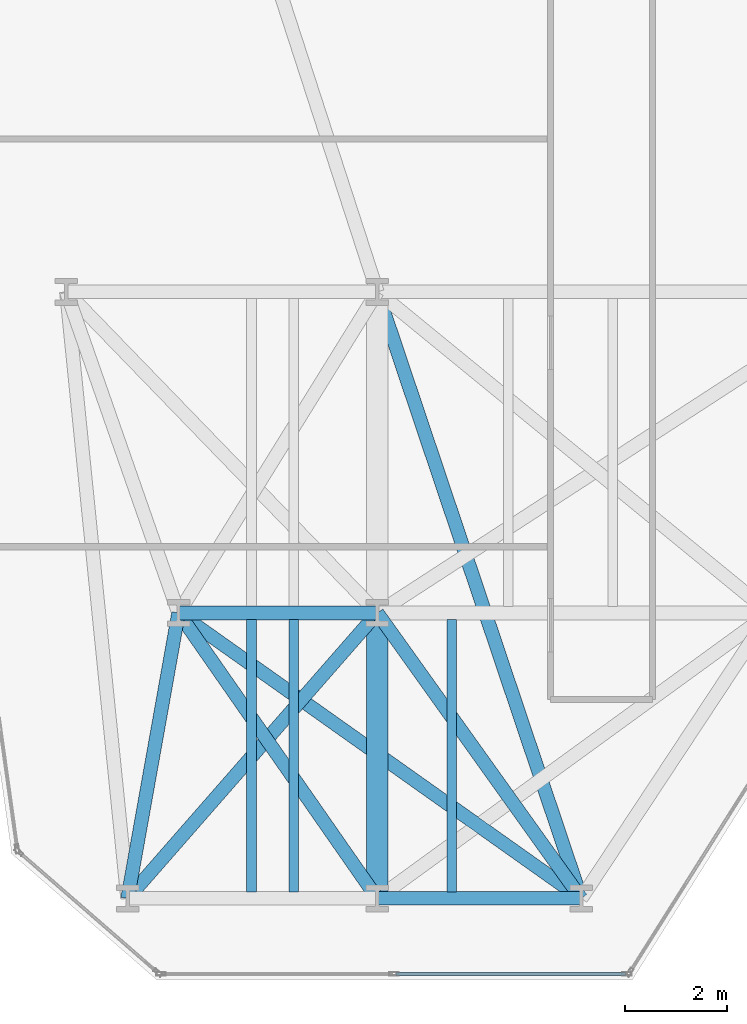
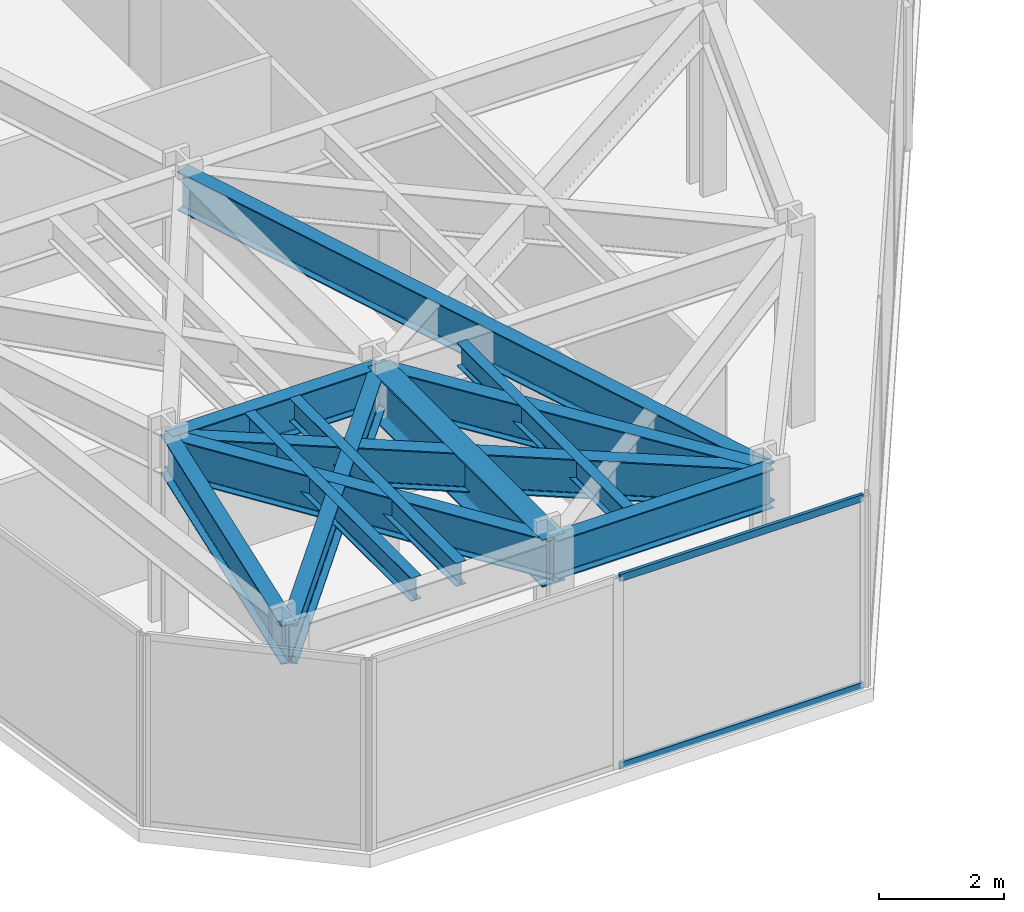
# One storey, part 3 of 24: 12 beams, 2 members, 1 element without a shape of its own.
"""IFC4 building model written with IfcOpenShell, lengths in metres."""

from ifc_helpers import new_model, si_unit, direction, frame, origin, origin_2d, place, context, subcontext, project, spatial, hollow_rectangle, i_section, extrude, material, layer, layer_set, material_profile, profile_set, type_object, element, aggregate, save


model = new_model("IFC4")

# Units and contexts
model_context = context("Model", 3, precision=1e-05, world=origin(), true_north=direction((0.0, 1.0)))
body_context = subcontext(model_context, "Body", "Model", "MODEL_VIEW")
ifc_project = project(units=[si_unit("LENGTHUNIT", "METRE"), si_unit("AREAUNIT", "SQUARE_METRE"), si_unit("VOLUMEUNIT", "CUBIC_METRE"), si_unit("PLANEANGLEUNIT", "RADIAN"), si_unit("MASSUNIT", "GRAM", prefix="KILO")], contexts=[model_context])

# Site, building, storey
site_placement = place(None, origin())
site = spatial("IfcSite", under=ifc_project, at=site_placement, CompositionType="ELEMENT")
building_placement = place(site_placement, origin())
building = spatial("IfcBuilding", under=site, at=building_placement, Name="Kravanh Interchange Tower", CompositionType="ELEMENT")
storey_placement = place(building_placement, frame((0.0, 0.0, 53.5)))
storey = spatial("IfcBuildingStorey", under=building, at=storey_placement, Name="L12", CompositionType="ELEMENT", Elevation=53.5)

# Curtain wall, members
ifc_material_1 = material(Name="Anodised Bronze Aluminium", Category="aluminium")
ifc_layer = layer(ifc_material_1, 0.179931640625)
ifc_layer_set = layer_set([ifc_layer], Name="Unitised Curtain Wall System CW-Z1 Lower Office")
curtain_wall_type = type_object("IfcCurtainWallType", Name="Unitised Curtain Wall System CW-Z1 Lower Office", PredefinedType="NOTDEFINED", material=ifc_layer_set)
curtain_wall_placement = place(storey_placement, origin())
curtain_wall = element("IfcCurtainWall", 1, at=curtain_wall_placement, inside=storey, type_object=curtain_wall_type, Name="L12 Unitised Curtain Wall CW-L12-06", PredefinedType="NOTDEFINED")
ifc_material_2 = material(Name="Anodised Bronze Aluminium", Category="aluminium")
ifc_material_profile_1 = material_profile(ifc_material_2, hollow_rectangle(XDim=0.06005859375, YDim=0.139892578125, WallThickness=0.00390625, at=origin_2d()), Name="ALU60X140X4")
ifc_profile_set_1 = profile_set([ifc_material_profile_1], Name="Anodised Bronze Aluminium")
member_type = type_object("IfcMemberType", Name="Curtain Wall Transom ALU60X140X4 Bronze", PredefinedType="USERDEFINED", material=ifc_profile_set_1)
member_1_placement = place(storey_placement, frame((22.36376953125, 1.1201171875, 0.030029296875), z_axis=(-1.0, 0.0, 0.0), x_axis=(0.0, -1.0, 0.0)))
member_1 = element("IfcMember", 2, at=member_1_placement, type_object=member_type, Name="CW-Z1 transom 1.1", ObjectType="TRANSOM", PredefinedType="USERDEFINED", context=body_context, shape_type="SweptSolid", body=[
    extrude(hollow_rectangle(XDim=0.06005859375, YDim=0.139892578125, WallThickness=0.00390625, at=origin_2d()), origin(), (0.0, 0.0, 1.0), 4.50146484375),
])
member_2_placement = place(storey_placement, frame((22.36376953125, 1.1201171875, 3.7099609375), z_axis=(-1.0, 0.0, 0.0), x_axis=(0.0, -1.0, 0.0)))
member_2 = element("IfcMember", 3, at=member_2_placement, type_object=member_type, Name="CW-Z1 transom 1.2", ObjectType="TRANSOM", PredefinedType="USERDEFINED", context=body_context, shape_type="SweptSolid", body=[
    extrude(hollow_rectangle(XDim=0.06005859375, YDim=0.139892578125, WallThickness=0.00390625, at=origin_2d()), origin(), (0.0, 0.0, 1.0), 4.50146484375),
])
aggregate(curtain_wall, [member_1, member_2])

# Beams
ifc_material_3 = material(Name="Structural Steel S355", Category="steel")
ifc_material_profile_2 = material_profile(ifc_material_3, i_section(OverallWidth=0.41796875, OverallDepth=0.927001953125, WebThickness=0.019287109375, FlangeThickness=0.031982421875, FilletRadius=0.028076171875, at=origin_2d()), Name="W36X231")
ifc_profile_set_2 = profile_set([ifc_material_profile_2], Name="Structural Steel S355")
beam_type_1 = type_object("IfcBeamType", Name="Floor Beam W36X231 Structural Steel S355", PredefinedType="BEAM", material=ifc_profile_set_2)
beam_1_placement = place(storey_placement, frame((17.5, 2.60009765625, 3.276611328125), z_axis=(0.0, 1.0, 0.0), x_axis=(-1.0, 0.0, 0.0)))
element("IfcBeam", 4, at=beam_1_placement, inside=storey, type_object=beam_type_1, Name="L12 Primary Floor Girder 103", PredefinedType="BEAM", context=body_context, shape_type="SweptSolid", body=[
    extrude(i_section(OverallWidth=0.41796875, OverallDepth=0.927001953125, WebThickness=0.019287109375, FlangeThickness=0.031982421875, FilletRadius=0.028076171875, at=origin_2d()), origin(), (0.0, 0.0, 1.0), 5.599853515625),
])
ifc_material_4 = material(Name="Structural Steel S355", Category="steel")
ifc_material_profile_3 = material_profile(ifc_material_4, i_section(OverallWidth=0.18994140625, OverallDepth=0.45703125, WebThickness=0.009033203125, FlangeThickness=0.014404296875, FilletRadius=0.01806640625, at=origin_2d()), Name="W18X50")
ifc_profile_set_3 = profile_set([ifc_material_profile_3], Name="Structural Steel S355")
beam_type_2 = type_object("IfcBeamType", Name="Floor Joist W18X50 Structural Steel S355", PredefinedType="JOIST", material=ifc_profile_set_3)
for number, where, z_axis, x_axis, name in (
    (5, (15.030029296875, 2.728515625, 3.511474609375), (0.0, 1.0, 0.0), (-1.0, 0.0, 0.0), "L12 Secondary Floor Joist 1"),
    (6, (15.862060546875, 2.728515625, 3.511474609375), (0.0, 1.0, 0.0), (-1.0, 0.0, 0.0), "L12 Secondary Floor Joist 2"),
    (7, (18.9599609375, 2.728515625, 3.511474609375), (0.0, 1.0, 0.0), (-1.0, 0.0, 0.0), "L12 Secondary Floor Joist 3"),
):
    element("IfcBeam", number, at=place(storey_placement, frame(where, z_axis=z_axis, x_axis=x_axis)), inside=storey, type_object=beam_type_2, Name=name, PredefinedType="JOIST", context=body_context, shape_type="SweptSolid", body=[
        extrude(i_section(OverallWidth=0.18994140625, OverallDepth=0.45703125, WebThickness=0.009033203125, FlangeThickness=0.014404296875, FilletRadius=0.01806640625, at=origin_2d()), origin(), (0.0, 0.0, 1.0), 5.343017578125),
    ])
ifc_material_5 = material(Name="Structural Steel S355", Category="steel")
ifc_material_profile_4 = material_profile(ifc_material_5, i_section(OverallWidth=0.26708984375, OverallDepth=0.761962890625, WebThickness=0.014404296875, FlangeThickness=0.021484375, FilletRadius=0.02490234375, at=origin_2d()), Name="W30X116")
ifc_profile_set_4 = profile_set([ifc_material_profile_4], Name="Structural Steel S355")
beam_type_3 = type_object("IfcBeamType", Name="Floor Spandrel W30X116 Structural Steel S355", PredefinedType="SPANDREL", material=ifc_profile_set_4)
beam_2_placement = place(storey_placement, frame((12.60009765625, 2.60009765625, 3.35888671875), z_axis=(0.175795094814, 0.984426779725, 0.0), x_axis=(-0.984426779725, 0.175795094814, 0.0)))
element("IfcBeam", 8, at=beam_2_placement, inside=storey, type_object=beam_type_3, Name="L12 Perimeter Spandrel 39", PredefinedType="SPANDREL", context=body_context, shape_type="SweptSolid", body=[
    extrude(i_section(OverallWidth=0.26708984375, OverallDepth=0.761962890625, WebThickness=0.014404296875, FlangeThickness=0.021484375, FilletRadius=0.02490234375, at=origin_2d()), origin(), (0.0, 0.0, 1.0), 5.6884765625),
])
beam_3_placement = place(storey_placement, frame((12.60009765625, 2.60009765625, 3.35888671875), z_axis=(0.658506930733, 0.752574662194, 0.0), x_axis=(-0.752574662194, 0.658506930733, 0.0)))
element("IfcBeam", 9, at=beam_3_placement, inside=storey, type_object=beam_type_3, Name="L12 Perimeter Spandrel 40", PredefinedType="SPANDREL", context=body_context, shape_type="SweptSolid", body=[
    extrude(i_section(OverallWidth=0.26708984375, OverallDepth=0.761962890625, WebThickness=0.014404296875, FlangeThickness=0.021484375, FilletRadius=0.02490234375, at=origin_2d()), origin(), (0.0, 0.0, 1.0), 7.44091796875),
])
beam_4_placement = place(storey_placement, frame((17.5, 2.60009765625, 3.35888671875), z_axis=(1.0, 0.0, 0.0), x_axis=(0.0, 1.0, 0.0)))
element("IfcBeam", 10, at=beam_4_placement, inside=storey, type_object=beam_type_3, Name="L12 Perimeter Spandrel 102", PredefinedType="SPANDREL", context=body_context, shape_type="SweptSolid", body=[
    extrude(i_section(OverallWidth=0.26708984375, OverallDepth=0.761962890625, WebThickness=0.014404296875, FlangeThickness=0.021484375, FilletRadius=0.02490234375, at=origin_2d()), origin(), (0.0, 0.0, 1.0), 4.0),
])
beam_5_placement = place(storey_placement, frame((17.5, 2.60009765625, 3.35888671875), z_axis=(-0.571494183969, 0.820606116045, 0.0), x_axis=(-0.820606116045, -0.571494183969, 0.0)))
element("IfcBeam", 11, at=beam_5_placement, inside=storey, type_object=beam_type_3, Name="L12 Perimeter Spandrel 104", PredefinedType="SPANDREL", context=body_context, shape_type="SweptSolid", body=[
    extrude(i_section(OverallWidth=0.26708984375, OverallDepth=0.761962890625, WebThickness=0.014404296875, FlangeThickness=0.021484375, FilletRadius=0.02490234375, at=origin_2d()), origin(), (0.0, 0.0, 1.0), 6.823974609375),
])
beam_6_placement = place(storey_placement, frame((21.5, 2.60009765625, 3.35888671875), z_axis=(-0.581248261352, 0.813726279946, 0.0), x_axis=(-0.813726279946, -0.581248261352, 0.0)))
element("IfcBeam", 12, at=beam_6_placement, inside=storey, type_object=beam_type_3, Name="L12 Perimeter Spandrel 122", PredefinedType="SPANDREL", context=body_context, shape_type="SweptSolid", body=[
    extrude(i_section(OverallWidth=0.26708984375, OverallDepth=0.761962890625, WebThickness=0.014404296875, FlangeThickness=0.021484375, FilletRadius=0.02490234375, at=origin_2d()), origin(), (0.0, 0.0, 1.0), 6.8818359375),
])
beam_7_placement = place(storey_placement, frame((21.5, 2.60009765625, 3.35888671875), z_axis=(-0.815825239527, 0.578298520274, 0.0), x_axis=(-0.578298520274, -0.815825239527, 0.0)))
element("IfcBeam", 13, at=beam_7_placement, inside=storey, type_object=beam_type_3, Name="L12 Perimeter Spandrel 123", PredefinedType="SPANDREL", context=body_context, shape_type="SweptSolid", body=[
    extrude(i_section(OverallWidth=0.26708984375, OverallDepth=0.761962890625, WebThickness=0.014404296875, FlangeThickness=0.021484375, FilletRadius=0.02490234375, at=origin_2d()), origin(), (0.0, 0.0, 1.0), 9.683349609375),
])
beam_8_placement = place(storey_placement, frame((21.5, 2.60009765625, 3.35888671875), z_axis=(-0.318618734989, 0.947882957814, 0.0), x_axis=(-0.947882957814, -0.318618734989, 0.0)))
element("IfcBeam", 14, at=beam_8_placement, inside=storey, type_object=beam_type_3, Name="L12 Perimeter Spandrel 124", PredefinedType="SPANDREL", context=body_context, shape_type="SweptSolid", body=[
    extrude(i_section(OverallWidth=0.26708984375, OverallDepth=0.761962890625, WebThickness=0.014404296875, FlangeThickness=0.021484375, FilletRadius=0.02490234375, at=origin_2d()), origin(), (0.0, 0.0, 1.0), 12.55419921875),
])
beam_9_placement = place(storey_placement, frame((13.60009765625, 8.199951171875, 3.35888671875), z_axis=(1.0, 0.0, 0.0), x_axis=(0.0, 1.0, 0.0)))
element("IfcBeam", 15, at=beam_9_placement, inside=storey, type_object=beam_type_3, Name="L12 Perimeter Spandrel 133", PredefinedType="SPANDREL", context=body_context, shape_type="SweptSolid", body=[
    extrude(i_section(OverallWidth=0.26708984375, OverallDepth=0.761962890625, WebThickness=0.014404296875, FlangeThickness=0.021484375, FilletRadius=0.02490234375, at=origin_2d()), origin(), (0.0, 0.0, 1.0), 3.89990234375),
])

save(model, "model.ifc")
